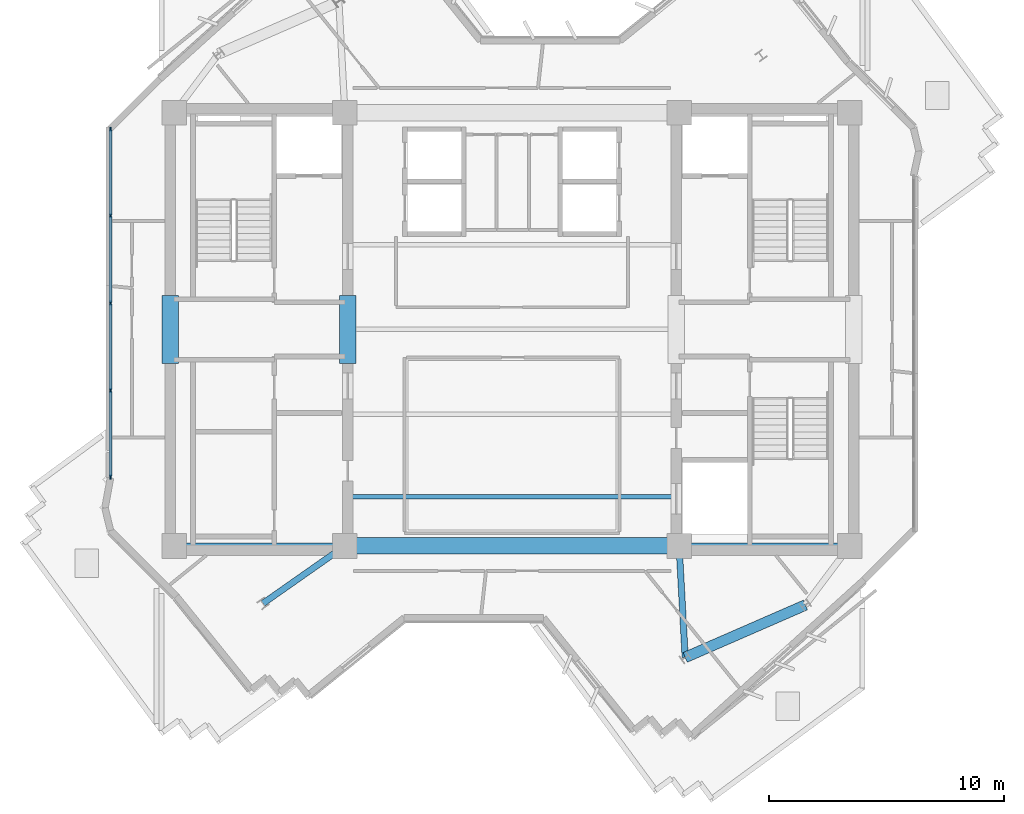
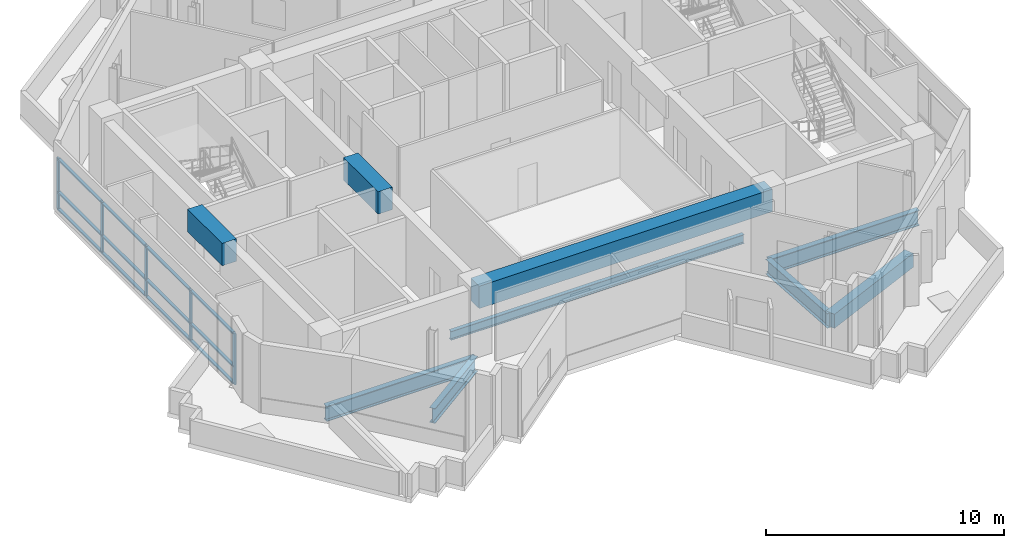
# One storey, part 2 of 12: 17 members, 9 beams, 1 element without a shape of its own.
"""IFC4 building model written with IfcOpenShell, lengths in metres."""

from ifc_helpers import new_model, si_unit, direction, frame, origin, origin_2d, place, context, subcontext, project, spatial, rectangle, i_section, extrude, source, transform, mapped, material, layer, layer_set, material_profile, profile_set, type_object, element, aggregate, save


model = new_model("IFC4")

# Units and contexts
model_context = context("Model", 3, precision=1e-05, world=origin(), true_north=direction((0.0, 1.0)))
body_context = subcontext(model_context, "Body", "Model", "MODEL_VIEW")
ifc_project = project(units=[si_unit("LENGTHUNIT", "METRE"), si_unit("AREAUNIT", "SQUARE_METRE"), si_unit("VOLUMEUNIT", "CUBIC_METRE"), si_unit("PLANEANGLEUNIT", "RADIAN"), si_unit("MASSUNIT", "GRAM", prefix="KILO")], contexts=[model_context])

# Site, building, storey
site_placement = place(None, origin())
site = spatial("IfcSite", under=ifc_project, at=site_placement, CompositionType="ELEMENT")
building_placement = place(site_placement, origin())
building = spatial("IfcBuilding", under=site, at=building_placement, Name="Zahravan Cultural Tower", CompositionType="ELEMENT")
storey_placement = place(building_placement, frame((0.0, 0.0, 280.35009765625)))
storey = spatial("IfcBuildingStorey", under=building, at=storey_placement, Name="L67", CompositionType="ELEMENT", Elevation=280.35009765625)

# Beams
ifc_material_1 = material(Name="Concrete C50/60", Category="concrete")
ifc_material_profile_1 = material_profile(ifc_material_1, rectangle(XDim=0.699951171875, YDim=1.14990234375, at=origin_2d()), Name="RC700X1150")
ifc_profile_set_1 = profile_set([ifc_material_profile_1], Name="Concrete C50/60")
beam_type_1 = type_object("IfcBeamType", Name="BM-LN-RC700X1150", PredefinedType="LINTEL", material=ifc_profile_set_1)
shared_shape_1 = source(origin(), body_context, "Body", "SweptSolid", [
    extrude(rectangle(XDim=0.699951171875, YDim=1.14990234375, at=origin_2d()), origin(), (0.0, 0.0, 1.0), 14.2001953125),
])
beam_1_placement = place(storey_placement, frame((28.89990234375, 17.800048828125, 2.9248046875), z_axis=(1.0, 0.0, 0.0), x_axis=(0.0, 1.0, 0.0)))
element("IfcBeam", 1, at=beam_1_placement, inside=storey, type_object=beam_type_1, Name="L67 Beam LN-L67-S", PredefinedType="LINTEL", context=body_context, shape_type="MappedRepresentation", body=[
    mapped(shared_shape_1, transform((0.0, 0.0, 0.0), x_axis=(1.0, 0.0, 0.0), y_axis=(0.0, 1.0, 0.0), z_axis=(0.0, 0.0, 1.0), scale=1.0)),
])
shared_shape_2 = source(origin(), body_context, "Body", "SweptSolid", [
    extrude(rectangle(XDim=0.699951171875, YDim=1.14990234375, at=origin_2d()), origin(), (0.0, 0.0, 1.0), 2.89990234375),
])
for number, where, z_axis, x_axis, name in (
    (2, (21.47509765625, 25.550048828125, 2.9248046875), (0.0, 1.0, 0.0), (-1.0, 0.0, 0.0), "L67 Beam LN-L67-PWW"),
    (3, (29.02490234375, 25.550048828125, 2.9248046875), (0.0, 1.0, 0.0), (-1.0, 0.0, 0.0), "L67 Beam LN-L67-PWE"),
):
    element("IfcBeam", number, at=place(storey_placement, frame(where, z_axis=z_axis, x_axis=x_axis)), inside=storey, type_object=beam_type_1, Name=name, PredefinedType="LINTEL", context=body_context, shape_type="MappedRepresentation", body=[
        mapped(shared_shape_2, transform((0.0, 0.0, 0.0), x_axis=(1.0, 0.0, 0.0), y_axis=(0.0, 1.0, 0.0), z_axis=(0.0, 0.0, 1.0), scale=1.0)),
    ])
ifc_material_2 = material(Name="Steel ASTM A992 Grade 50", Category="steel")
ifc_material_profile_2 = material_profile(ifc_material_2, i_section(OverallWidth=0.26611328125, OverallDepth=0.780029296875, WebThickness=0.0166015625, FlangeThickness=0.030029296875, FilletRadius=0.01904296875, at=origin_2d()), Name="W30X148")
ifc_profile_set_2 = profile_set([ifc_material_profile_2], Name="Steel ASTM A992 Grade 50")
beam_type_2 = type_object("IfcBeamType", Name="BM-G-W30X148", PredefinedType="BEAM", material=ifc_profile_set_2)
shared_shape_3 = source(origin(), body_context, "Body", "SweptSolid", [
    extrude(i_section(OverallWidth=0.26611328125, OverallDepth=0.780029296875, WebThickness=0.0166015625, FlangeThickness=0.030029296875, FilletRadius=0.01904296875, at=origin_2d()), origin(), (0.0, 0.0, 1.0), 7.25),
])
for number, where, z_axis, x_axis, name in (
    (4, (21.64990234375, 17.800048828125, -0.64013671875), (1.0, 0.0, 0.0), (0.0, 1.0, 0.0), "L67 Beam BG-L67-01"),
    (5, (43.10009765625, 17.800048828125, -0.64013671875), (1.0, 0.0, 0.0), (0.0, 1.0, 0.0), "L67 Beam BG-L67-04"),
):
    element("IfcBeam", number, at=place(storey_placement, frame(where, z_axis=z_axis, x_axis=x_axis)), inside=storey, type_object=beam_type_2, Name=name, PredefinedType="BEAM", context=body_context, shape_type="MappedRepresentation", body=[
        mapped(shared_shape_3, transform((0.0, 0.0, 0.0), x_axis=(1.0, 0.0, 0.0), y_axis=(0.0, 1.0, 0.0), z_axis=(0.0, 0.0, 1.0), scale=1.0)),
    ])
ifc_material_profile_3 = material_profile(ifc_material_2, i_section(OverallWidth=0.26708984375, OverallDepth=0.761962890625, WebThickness=0.014404296875, FlangeThickness=0.021484375, FilletRadius=0.01904296875, at=origin_2d()), Name="W30X116")
ifc_profile_set_3 = profile_set([ifc_material_profile_3], Name="Steel ASTM A992 Grade 50")
beam_type_3 = type_object("IfcBeamType", Name="BM-G-W30X116", PredefinedType="BEAM", material=ifc_profile_set_3)
shared_shape_4 = source(origin(), body_context, "Body", "SweptSolid", [
    extrude(i_section(OverallWidth=0.26708984375, OverallDepth=0.761962890625, WebThickness=0.014404296875, FlangeThickness=0.021484375, FilletRadius=0.01904296875, at=origin_2d()), origin(), (0.0, 0.0, 1.0), 4.248779296875),
])
beam_2_placement = place(storey_placement, frame((28.89990234375, 17.800048828125, -0.631103515625), z_axis=(-0.81854294596, -0.574445337365, 0.0), x_axis=(0.574445337365, -0.81854294596, 0.0)))
element("IfcBeam", 6, at=beam_2_placement, inside=storey, type_object=beam_type_3, Name="L67 Beam BG-L67-07", PredefinedType="BEAM", context=body_context, shape_type="MappedRepresentation", body=[
    mapped(shared_shape_4, transform((0.0, 0.0, 0.0), x_axis=(1.0, 0.0, 0.0), y_axis=(0.0, 1.0, 0.0), z_axis=(0.0, 0.0, 1.0), scale=1.0)),
])
shared_shape_5 = source(origin(), body_context, "Body", "SweptSolid", [
    extrude(i_section(OverallWidth=0.26708984375, OverallDepth=0.761962890625, WebThickness=0.014404296875, FlangeThickness=0.021484375, FilletRadius=0.01904296875, at=origin_2d()), origin(), (0.0, 0.0, 1.0), 4.744384765625),
])
beam_3_placement = place(storey_placement, frame((43.10009765625, 17.800048828125, -0.631103515625), z_axis=(0.054238739845, -0.998527996152, 0.0), x_axis=(0.998527996152, 0.054238739845, 0.0)))
element("IfcBeam", 7, at=beam_3_placement, inside=storey, type_object=beam_type_3, Name="L67 Beam BG-L67-08", PredefinedType="BEAM", context=body_context, shape_type="MappedRepresentation", body=[
    mapped(shared_shape_5, transform((0.0, 0.0, 0.0), x_axis=(1.0, 0.0, 0.0), y_axis=(0.0, 1.0, 0.0), z_axis=(0.0, 0.0, 1.0), scale=1.0)),
])
ifc_material_3 = material(Name="Concrete C45/55", Category="concrete")
ifc_material_profile_4 = material_profile(ifc_material_3, rectangle(XDim=0.449951171875, YDim=0.719970703125, at=origin_2d()), Name="RC450X720")
ifc_profile_set_4 = profile_set([ifc_material_profile_4], Name="Concrete C45/55")
beam_type_4 = type_object("IfcBeamType", Name="BM-SP-RC450X720", PredefinedType="SPANDREL", material=ifc_profile_set_4)
shared_shape_6 = source(origin(), body_context, "Body", "SweptSolid", [
    extrude(rectangle(XDim=0.449951171875, YDim=0.719970703125, at=origin_2d()), origin(), (0.0, 0.0, 1.0), 5.570556640625),
])
beam_4_placement = place(storey_placement, frame((43.357421875, 13.062744140625, -0.610107421875), z_axis=(0.9166445026, 0.399703459896, 0.0), x_axis=(-0.399703459896, 0.9166445026, 0.0)))
element("IfcBeam", 8, at=beam_4_placement, inside=storey, type_object=beam_type_4, Name="L67 Beam SP-L67-12", PredefinedType="SPANDREL", context=body_context, shape_type="MappedRepresentation", body=[
    mapped(shared_shape_6, transform((0.0, 0.0, 0.0), x_axis=(1.0, 0.0, 0.0), y_axis=(0.0, 1.0, 0.0), z_axis=(0.0, 0.0, 1.0), scale=1.0)),
])
ifc_material_profile_5 = material_profile(ifc_material_2, i_section(OverallWidth=0.18994140625, OverallDepth=0.45703125, WebThickness=0.009033203125, FlangeThickness=0.014404296875, FilletRadius=0.012939453125, at=origin_2d()), Name="W18X50")
ifc_profile_set_5 = profile_set([ifc_material_profile_5], Name="Steel ASTM A992 Grade 50")
beam_type_5 = type_object("IfcBeamType", Name="BM-J-W18X50", PredefinedType="JOIST", material=ifc_profile_set_5)
shared_shape_7 = source(origin(), body_context, "Body", "SweptSolid", [
    extrude(i_section(OverallWidth=0.18994140625, OverallDepth=0.45703125, WebThickness=0.009033203125, FlangeThickness=0.014404296875, FilletRadius=0.012939453125, at=origin_2d()), origin(), (0.0, 0.0, 1.0), 14.2001953125),
])
beam_5_placement = place(storey_placement, frame((28.89990234375, 19.89990234375, -0.478515625), z_axis=(1.0, 0.0, 0.0), x_axis=(0.0, 1.0, 0.0)))
element("IfcBeam", 9, at=beam_5_placement, inside=storey, type_object=beam_type_5, Name="L67 Beam BJ-L67-14", PredefinedType="JOIST", context=body_context, shape_type="MappedRepresentation", body=[
    mapped(shared_shape_7, transform((0.0, 0.0, 0.0), x_axis=(1.0, 0.0, 0.0), y_axis=(0.0, 1.0, 0.0), z_axis=(0.0, 0.0, 1.0), scale=1.0)),
])

# Curtain wall, members
ifc_material_4 = material(Name="Anodised bronze-aluminium mullion", Category="aluminium")
ifc_layer = layer(ifc_material_4, 0.179931640625)
ifc_layer_set = layer_set([ifc_layer], Name="Anodised bronze-aluminium mullion")
curtain_wall_type = type_object("IfcCurtainWallType", Name="CW-SYS-3", PredefinedType="USERDEFINED", material=ifc_layer_set)
curtain_wall_placement = place(storey_placement, origin())
curtain_wall = element("IfcCurtainWall", 10, at=curtain_wall_placement, inside=storey, type_object=curtain_wall_type, Name="L67 Recessed Curtain Wall CW-3.1", ObjectType="RECESSED GLAZING", PredefinedType="USERDEFINED")
ifc_material_profile_6 = material_profile(ifc_material_4, rectangle(XDim=0.070068359375, YDim=0.179931640625, at=origin_2d()), Name="AL-M70X180")
ifc_profile_set_6 = profile_set([ifc_material_profile_6], Name="Anodised bronze-aluminium mullion")
member_type_1 = type_object("IfcMemberType", Name="CWM-CW-3", PredefinedType="MULLION", material=ifc_profile_set_6)
shared_shape_8 = source(origin(), body_context, "Body", "SweptSolid", [
    extrude(rectangle(XDim=0.070068359375, YDim=0.179931640625, at=origin_2d()), origin(), (0.0, 0.0, 1.0), 2.619873046875),
])
member_1_placement = place(storey_placement, frame((18.93994140625, 20.728515625, 0.0), z_axis=(0.0, 0.0, 1.0), x_axis=(-1.0, 0.0, 0.0)))
member_1 = element("IfcMember", 11, at=member_1_placement, type_object=member_type_1, Name="CW-3 mullion 1", PredefinedType="MULLION", context=body_context, shape_type="MappedRepresentation", body=[
    mapped(shared_shape_8, transform((0.0, 0.0, 0.0), x_axis=(1.0, 0.0, 0.0), y_axis=(0.0, 1.0, 0.0), z_axis=(0.0, 0.0, 1.0), scale=1.0)),
])
member_2_placement = place(storey_placement, frame((18.93994140625, 24.405517578125, 0.0), z_axis=(0.0, 0.0, 1.0), x_axis=(-1.0, 0.0, 0.0)))
member_2 = element("IfcMember", 12, at=member_2_placement, type_object=member_type_1, Name="CW-3 mullion 2", PredefinedType="MULLION", context=body_context, shape_type="MappedRepresentation", body=[
    mapped(shared_shape_8, transform((0.0, 0.0, 0.0), x_axis=(1.0, 0.0, 0.0), y_axis=(0.0, 1.0, 0.0), z_axis=(0.0, 0.0, 1.0), scale=1.0)),
])
member_3_placement = place(storey_placement, frame((18.93994140625, 28.11767578125, 0.0), z_axis=(0.0, 0.0, 1.0), x_axis=(-1.0, 0.0, 0.0)))
member_3 = element("IfcMember", 13, at=member_3_placement, type_object=member_type_1, Name="CW-3 mullion 3", PredefinedType="MULLION", context=body_context, shape_type="MappedRepresentation", body=[
    mapped(shared_shape_8, transform((0.0, 0.0, 0.0), x_axis=(1.0, 0.0, 0.0), y_axis=(0.0, 1.0, 0.0), z_axis=(0.0, 0.0, 1.0), scale=1.0)),
])
member_4_placement = place(storey_placement, frame((18.93994140625, 31.829833984375, 0.0), z_axis=(0.0, 0.0, 1.0), x_axis=(-1.0, 0.0, 0.0)))
member_4 = element("IfcMember", 14, at=member_4_placement, type_object=member_type_1, Name="CW-3 mullion 4", PredefinedType="MULLION", context=body_context, shape_type="MappedRepresentation", body=[
    mapped(shared_shape_8, transform((0.0, 0.0, 0.0), x_axis=(1.0, 0.0, 0.0), y_axis=(0.0, 1.0, 0.0), z_axis=(0.0, 0.0, 1.0), scale=1.0)),
])
member_5_placement = place(storey_placement, frame((18.93994140625, 35.507080078125, 0.0), z_axis=(0.0, 0.0, 1.0), x_axis=(-1.0, 0.0, 0.0)))
member_5 = element("IfcMember", 15, at=member_5_placement, type_object=member_type_1, Name="CW-3 mullion 5", PredefinedType="MULLION", context=body_context, shape_type="MappedRepresentation", body=[
    mapped(shared_shape_8, transform((0.0, 0.0, 0.0), x_axis=(1.0, 0.0, 0.0), y_axis=(0.0, 1.0, 0.0), z_axis=(0.0, 0.0, 1.0), scale=1.0)),
])
ifc_material_profile_7 = material_profile(ifc_material_4, rectangle(XDim=0.139892578125, YDim=0.070068359375, at=origin_2d()), Name="AL-T70X140")
ifc_profile_set_7 = profile_set([ifc_material_profile_7], Name="Anodised bronze-aluminium mullion")
member_type_2 = type_object("IfcMemberType", Name="CWT-CW-3", PredefinedType="USERDEFINED", material=ifc_profile_set_7)
shared_shape_9 = source(origin(), body_context, "Body", "SweptSolid", [
    extrude(rectangle(XDim=0.139892578125, YDim=0.070068359375, at=origin_2d()), origin(), (0.0, 0.0, 1.0), 3.607177734375),
])
member_6_placement = place(storey_placement, frame((18.93994140625, 20.763427734375, 0.034912109375), z_axis=(0.0, 1.0, 0.0), x_axis=(-1.0, 0.0, 0.0)))
member_6 = element("IfcMember", 16, at=member_6_placement, type_object=member_type_2, Name="CW-3 transom 1.1", ObjectType="TRANSOM", PredefinedType="USERDEFINED", context=body_context, shape_type="MappedRepresentation", body=[
    mapped(shared_shape_9, transform((0.0, 0.0, 0.0), x_axis=(1.0, 0.0, 0.0), y_axis=(0.0, 1.0, 0.0), z_axis=(0.0, 0.0, 1.0), scale=1.0)),
])
member_7_placement = place(storey_placement, frame((18.93994140625, 20.763427734375, 0.89990234375), z_axis=(0.0, 1.0, 0.0), x_axis=(-1.0, 0.0, 0.0)))
member_7 = element("IfcMember", 17, at=member_7_placement, type_object=member_type_2, Name="CW-3 transom 1.2", ObjectType="TRANSOM", PredefinedType="USERDEFINED", context=body_context, shape_type="MappedRepresentation", body=[
    mapped(shared_shape_9, transform((0.0, 0.0, 0.0), x_axis=(1.0, 0.0, 0.0), y_axis=(0.0, 1.0, 0.0), z_axis=(0.0, 0.0, 1.0), scale=1.0)),
])
member_8_placement = place(storey_placement, frame((18.93994140625, 20.763427734375, 2.5849609375), z_axis=(0.0, 1.0, 0.0), x_axis=(-1.0, 0.0, 0.0)))
member_8 = element("IfcMember", 18, at=member_8_placement, type_object=member_type_2, Name="CW-3 transom 1.3", ObjectType="TRANSOM", PredefinedType="USERDEFINED", context=body_context, shape_type="MappedRepresentation", body=[
    mapped(shared_shape_9, transform((0.0, 0.0, 0.0), x_axis=(1.0, 0.0, 0.0), y_axis=(0.0, 1.0, 0.0), z_axis=(0.0, 0.0, 1.0), scale=1.0)),
])
member_9_placement = place(storey_placement, frame((18.93994140625, 31.86474609375, 0.034912109375), z_axis=(0.0, 1.0, 0.0), x_axis=(-1.0, 0.0, 0.0)))
member_9 = element("IfcMember", 19, at=member_9_placement, type_object=member_type_2, Name="CW-3 transom 4.1", ObjectType="TRANSOM", PredefinedType="USERDEFINED", context=body_context, shape_type="MappedRepresentation", body=[
    mapped(shared_shape_9, transform((0.0, 0.0, 0.0), x_axis=(1.0, 0.0, 0.0), y_axis=(0.0, 1.0, 0.0), z_axis=(0.0, 0.0, 1.0), scale=1.0)),
])
member_10_placement = place(storey_placement, frame((18.93994140625, 31.86474609375, 0.89990234375), z_axis=(0.0, 1.0, 0.0), x_axis=(-1.0, 0.0, 0.0)))
member_10 = element("IfcMember", 20, at=member_10_placement, type_object=member_type_2, Name="CW-3 transom 4.2", ObjectType="TRANSOM", PredefinedType="USERDEFINED", context=body_context, shape_type="MappedRepresentation", body=[
    mapped(shared_shape_9, transform((0.0, 0.0, 0.0), x_axis=(1.0, 0.0, 0.0), y_axis=(0.0, 1.0, 0.0), z_axis=(0.0, 0.0, 1.0), scale=1.0)),
])
member_11_placement = place(storey_placement, frame((18.93994140625, 31.86474609375, 2.5849609375), z_axis=(0.0, 1.0, 0.0), x_axis=(-1.0, 0.0, 0.0)))
member_11 = element("IfcMember", 21, at=member_11_placement, type_object=member_type_2, Name="CW-3 transom 4.3", ObjectType="TRANSOM", PredefinedType="USERDEFINED", context=body_context, shape_type="MappedRepresentation", body=[
    mapped(shared_shape_9, transform((0.0, 0.0, 0.0), x_axis=(1.0, 0.0, 0.0), y_axis=(0.0, 1.0, 0.0), z_axis=(0.0, 0.0, 1.0), scale=1.0)),
])
shared_shape_10 = source(origin(), body_context, "Body", "SweptSolid", [
    extrude(rectangle(XDim=0.139892578125, YDim=0.070068359375, at=origin_2d()), origin(), (0.0, 0.0, 1.0), 3.642333984375),
])
member_12_placement = place(storey_placement, frame((18.93994140625, 24.4404296875, 0.034912109375), z_axis=(0.0, 1.0, 0.0), x_axis=(-1.0, 0.0, 0.0)))
member_12 = element("IfcMember", 22, at=member_12_placement, type_object=member_type_2, Name="CW-3 transom 2.1", ObjectType="TRANSOM", PredefinedType="USERDEFINED", context=body_context, shape_type="MappedRepresentation", body=[
    mapped(shared_shape_10, transform((0.0, 0.0, 0.0), x_axis=(1.0, 0.0, 0.0), y_axis=(0.0, 1.0, 0.0), z_axis=(0.0, 0.0, 1.0), scale=1.0)),
])
member_13_placement = place(storey_placement, frame((18.93994140625, 24.4404296875, 0.89990234375), z_axis=(0.0, 1.0, 0.0), x_axis=(-1.0, 0.0, 0.0)))
member_13 = element("IfcMember", 23, at=member_13_placement, type_object=member_type_2, Name="CW-3 transom 2.2", ObjectType="TRANSOM", PredefinedType="USERDEFINED", context=body_context, shape_type="MappedRepresentation", body=[
    mapped(shared_shape_10, transform((0.0, 0.0, 0.0), x_axis=(1.0, 0.0, 0.0), y_axis=(0.0, 1.0, 0.0), z_axis=(0.0, 0.0, 1.0), scale=1.0)),
])
member_14_placement = place(storey_placement, frame((18.93994140625, 24.4404296875, 2.5849609375), z_axis=(0.0, 1.0, 0.0), x_axis=(-1.0, 0.0, 0.0)))
member_14 = element("IfcMember", 24, at=member_14_placement, type_object=member_type_2, Name="CW-3 transom 2.3", ObjectType="TRANSOM", PredefinedType="USERDEFINED", context=body_context, shape_type="MappedRepresentation", body=[
    mapped(shared_shape_10, transform((0.0, 0.0, 0.0), x_axis=(1.0, 0.0, 0.0), y_axis=(0.0, 1.0, 0.0), z_axis=(0.0, 0.0, 1.0), scale=1.0)),
])
member_15_placement = place(storey_placement, frame((18.93994140625, 28.152587890625, 0.034912109375), z_axis=(0.0, 1.0, 0.0), x_axis=(-1.0, 0.0, 0.0)))
member_15 = element("IfcMember", 25, at=member_15_placement, type_object=member_type_2, Name="CW-3 transom 3.1", ObjectType="TRANSOM", PredefinedType="USERDEFINED", context=body_context, shape_type="MappedRepresentation", body=[
    mapped(shared_shape_10, transform((0.0, 0.0, 0.0), x_axis=(1.0, 0.0, 0.0), y_axis=(0.0, 1.0, 0.0), z_axis=(0.0, 0.0, 1.0), scale=1.0)),
])
member_16_placement = place(storey_placement, frame((18.93994140625, 28.152587890625, 0.89990234375), z_axis=(0.0, 1.0, 0.0), x_axis=(-1.0, 0.0, 0.0)))
member_16 = element("IfcMember", 26, at=member_16_placement, type_object=member_type_2, Name="CW-3 transom 3.2", ObjectType="TRANSOM", PredefinedType="USERDEFINED", context=body_context, shape_type="MappedRepresentation", body=[
    mapped(shared_shape_10, transform((0.0, 0.0, 0.0), x_axis=(1.0, 0.0, 0.0), y_axis=(0.0, 1.0, 0.0), z_axis=(0.0, 0.0, 1.0), scale=1.0)),
])
member_17_placement = place(storey_placement, frame((18.93994140625, 28.152587890625, 2.5849609375), z_axis=(0.0, 1.0, 0.0), x_axis=(-1.0, 0.0, 0.0)))
member_17 = element("IfcMember", 27, at=member_17_placement, type_object=member_type_2, Name="CW-3 transom 3.3", ObjectType="TRANSOM", PredefinedType="USERDEFINED", context=body_context, shape_type="MappedRepresentation", body=[
    mapped(shared_shape_10, transform((0.0, 0.0, 0.0), x_axis=(1.0, 0.0, 0.0), y_axis=(0.0, 1.0, 0.0), z_axis=(0.0, 0.0, 1.0), scale=1.0)),
])
aggregate(curtain_wall, [member_1, member_2, member_3, member_4, member_5, member_6, member_7, member_8, member_12, member_13, member_14, member_15, member_16, member_17, member_9, member_10, member_11])

save(model, "model.ifc")
